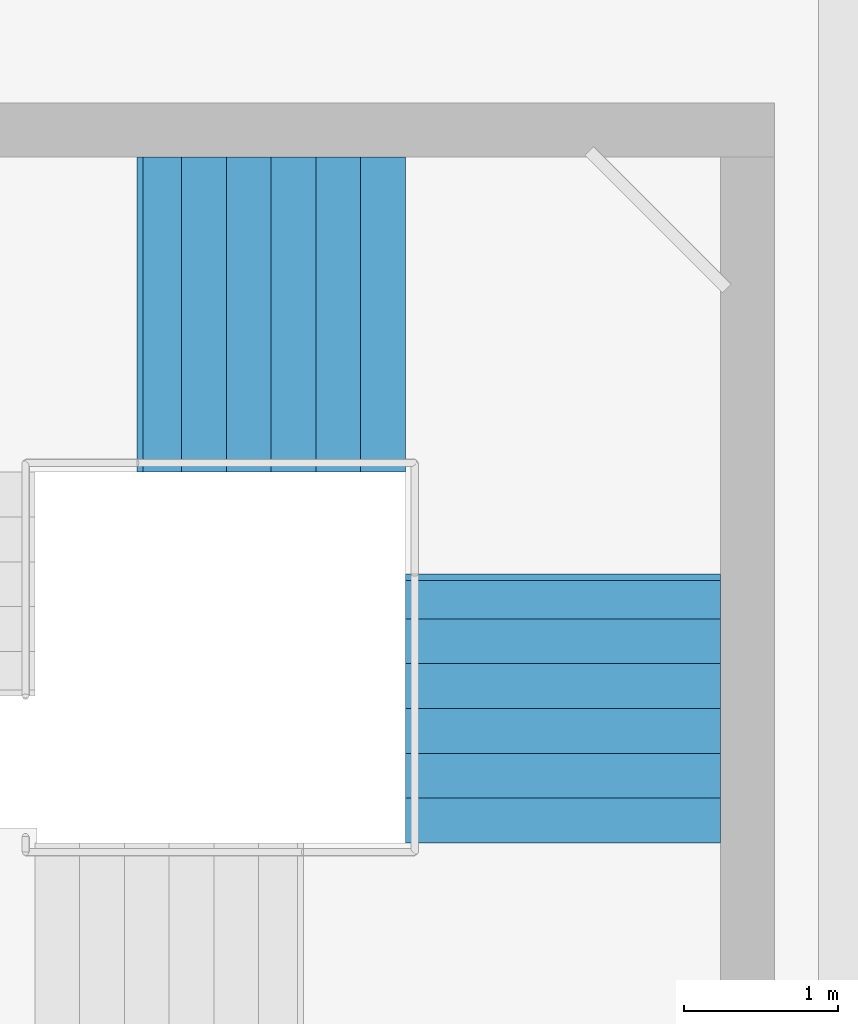
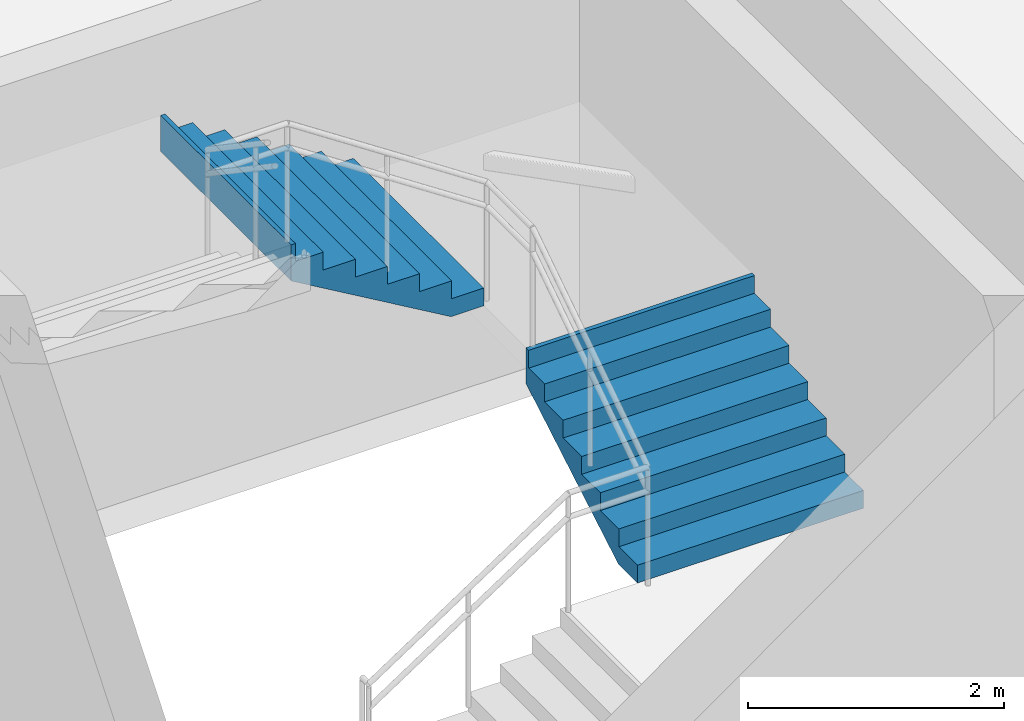
# One storey, part 51 of 58: 2 stair flights, 1 element without a shape of its own.
"""IFC4 building model written with IfcOpenShell, lengths in metres."""

from ifc_helpers import new_model, si_unit, direction, frame, origin, place, context, subcontext, project, spatial, triangles, material, type_object, element, aggregate, save


model = new_model("IFC4")

# Units and contexts
model_context = context("Model", 3, precision=1e-05, world=origin(), true_north=direction((0.0, 1.0)))
body_context = subcontext(model_context, "Body", "Model", "MODEL_VIEW")
ifc_project = project(units=[si_unit("LENGTHUNIT", "METRE"), si_unit("AREAUNIT", "SQUARE_METRE"), si_unit("VOLUMEUNIT", "CUBIC_METRE"), si_unit("PLANEANGLEUNIT", "RADIAN"), si_unit("MASSUNIT", "GRAM", prefix="KILO")], contexts=[model_context])

# Site, building, storey
site_placement = place(None, origin())
site = spatial("IfcSite", under=ifc_project, at=site_placement, CompositionType="ELEMENT")
building_placement = place(site_placement, origin())
building = spatial("IfcBuilding", under=site, at=building_placement, Name="Sillaruma Civic Art Gallery", CompositionType="ELEMENT")
storey_placement = place(building_placement, frame((0.0, 0.0, 28.56005859375)))
storey = spatial("IfcBuildingStorey", under=building, at=storey_placement, Name="L05", CompositionType="ELEMENT", Elevation=28.56005859375)

# Stair, stair flights
ifc_material = material(Name="Concrete H35 (35 MPa)", Category="concrete")
stair_type = type_object("IfcStairType", Name="STR-4F-27", PredefinedType="USERDEFINED", material=ifc_material)
stair_placement = place(storey_placement, origin())
stair = element("IfcStair", 1, at=stair_placement, inside=storey, type_object=stair_type, Name="Protected Exit Stair ST-04 (East Bar) (L05)", ObjectType="THREE_RETURN_STAIR", PredefinedType="USERDEFINED")
stair_flight_type = type_object("IfcStairFlightType", Name="SFL-STR-7", PredefinedType="STRAIGHT", material=ifc_material)
stair_flight_1_placement = place(storey_placement, frame((104.320068359375, 53.25, 1.18994140625), z_axis=(0.0, 0.0, 1.0), x_axis=(0.0, 1.0, 0.0)))
stair_flight_1 = element("IfcStairFlight", 2, at=stair_flight_1_placement, type_object=stair_flight_type, Name="ST-04 flight 2", NumberOfRisers=7, NumberOfTreads=6, PredefinedType="STRAIGHT", RiserHeight=0.17, TreadLength=0.29, context=body_context, shape_type="Tessellation", body=[
    triangles([(0.0, -1.02001953125, 0.0), (0.29, -1.02001953125, 0.0), (0.296404, -1.02001953125, 0.0), (0.58, -1.02001953125, 0.166246), (0.87, -1.02001953125, 0.336246), (1.16, -1.02001953125, 0.506246), (1.45, -1.02001953125, 0.676246), (1.69999, -1.02001953125, 0.822792), (1.73999, -1.02001953125, 0.84624), (1.73999, -1.02001953125, 1.19), (1.69999, -1.02001953125, 1.19), (1.69999, -1.02001953125, 1.02), (1.45, -1.02001953125, 1.02), (1.45, -1.02001953125, 0.85), (1.16, -1.02001953125, 0.85), (1.16, -1.02001953125, 0.68), (0.87, -1.02001953125, 0.68), (0.87, -1.02001953125, 0.51), (0.58, -1.02001953125, 0.51), (0.58, -1.02001953125, 0.34), (0.296404, -1.02001953125, 0.34), (0.29, -1.02001953125, 0.34), (0.29, -1.02001953125, 0.17), (0.0, -1.02001953125, 0.17), (0.0, -0.05, 0.0), (0.29, -0.05, 0.0), (0.296404, -0.05, 0.0), (0.58, -0.05, 0.166246), (0.87, -0.05, 0.336246), (1.16, -0.05, 0.506246), (1.45, -0.05, 0.676246), (1.69999, -0.05, 0.822792), (1.73999, -0.05, 0.84624), (1.73999, -0.05, 1.19), (1.69999, -0.05, 1.19), (1.69999, -0.05, 1.02), (1.45, -0.05, 1.02), (1.45, -0.05, 0.85), (1.16, -0.05, 0.85), (1.16, -0.05, 0.68), (0.87, -0.05, 0.68), (0.87, -0.05, 0.51), (0.58, -0.05, 0.51), (0.58, -0.05, 0.34), (0.296404, -0.05, 0.34), (0.29, -0.05, 0.34), (0.29, -0.05, 0.17), (0.0, -0.05, 0.17), (0.0, -0.0375, 0.0), (0.29, -0.0375, 0.0), (0.296404, -0.0375, 0.0), (0.58, -0.0375, 0.166246), (0.87, -0.0375, 0.336246), (1.16, -0.0375, 0.506246), (1.45, -0.0375, 0.676246), (1.69999, -0.0375, 0.822792), (1.73999, -0.0375, 0.84624), (1.73999, -0.0375, 1.19), (1.69999, -0.0375, 1.19), (1.69999, -0.0375, 1.02), (1.45, -0.0375, 1.02), (1.45, -0.0375, 0.85), (1.16, -0.0375, 0.85), (1.16, -0.0375, 0.68), (0.87, -0.0375, 0.68), (0.87, -0.0375, 0.51), (0.58, -0.0375, 0.51), (0.58, -0.0375, 0.34), (0.296404, -0.0375, 0.34), (0.29, -0.0375, 0.34), (0.29, -0.0375, 0.17), (0.0, -0.0375, 0.17), (0.0, -0.025, 0.0), (0.29, -0.025, 0.0), (0.296404, -0.025, 0.0), (0.58, -0.025, 0.166246), (0.87, -0.025, 0.336246), (1.16, -0.025, 0.506246), (1.45, -0.025, 0.676246), (1.69999, -0.025, 0.822792), (1.73999, -0.025, 0.84624), (1.73999, -0.025, 1.19), (1.69999, -0.025, 1.19), (1.69999, -0.025, 1.02), (1.45, -0.025, 1.02), (1.45, -0.025, 0.85), (1.16, -0.025, 0.85), (1.16, -0.025, 0.68), (0.87, -0.025, 0.68), (0.87, -0.025, 0.51), (0.58, -0.025, 0.51), (0.58, -0.025, 0.34), (0.296404, -0.025, 0.34), (0.29, -0.025, 0.34), (0.29, -0.025, 0.17), (0.0, -0.025, 0.17), (0.0, -0.0125, 0.0), (0.29, -0.0125, 0.0), (0.296404, -0.0125, 0.0), (0.58, -0.0125, 0.166246), (0.87, -0.0125, 0.336246), (1.16, -0.0125, 0.506246), (1.45, -0.0125, 0.676246), (1.69999, -0.0125, 0.822792), (1.73999, -0.0125, 0.84624), (1.73999, -0.0125, 1.19), (1.69999, -0.0125, 1.19), (1.69999, -0.0125, 1.02), (1.45, -0.0125, 1.02), (1.45, -0.0125, 0.85), (1.16, -0.0125, 0.85), (1.16, -0.0125, 0.68), (0.87, -0.0125, 0.68), (0.87, -0.0125, 0.51), (0.58, -0.0125, 0.51), (0.58, -0.0125, 0.34), (0.296404, -0.0125, 0.34), (0.29, -0.0125, 0.34), (0.29, -0.0125, 0.17), (0.0, -0.0125, 0.17), (0.0, 0.0, 0.0), (0.29, 0.0, 0.0), (0.296404, 0.0, 0.0), (0.58, 0.0, 0.166246), (0.87, 0.0, 0.336246), (1.16, 0.0, 0.506246), (1.45, 0.0, 0.676246), (1.69999, 0.0, 0.822792), (1.73999, 0.0, 0.84624), (1.73999, 0.0, 1.19), (1.69999, 0.0, 1.19), (1.69999, 0.0, 1.02), (1.45, 0.0, 1.02), (1.45, 0.0, 0.85), (1.16, 0.0, 0.85), (1.16, 0.0, 0.68), (0.87, 0.0, 0.68), (0.87, 0.0, 0.51), (0.58, 0.0, 0.51), (0.58, 0.0, 0.34), (0.296404, 0.0, 0.34), (0.29, 0.0, 0.34), (0.29, 0.0, 0.17), (0.0, 0.0, 0.17), (0.0, 0.0125, 0.0), (0.29, 0.0125, 0.0), (0.296404, 0.0125, 0.0), (0.58, 0.0125, 0.166246), (0.87, 0.0125, 0.336246), (1.16, 0.0125, 0.506246), (1.45, 0.0125, 0.676246), (1.69999, 0.0125, 0.822792), (1.73999, 0.0125, 0.84624), (1.73999, 0.0125, 1.19), (1.69999, 0.0125, 1.19), (1.69999, 0.0125, 1.02), (1.45, 0.0125, 1.02), (1.45, 0.0125, 0.85), (1.16, 0.0125, 0.85), (1.16, 0.0125, 0.68), (0.87, 0.0125, 0.68), (0.87, 0.0125, 0.51), (0.58, 0.0125, 0.51), (0.58, 0.0125, 0.34), (0.296404, 0.0125, 0.34), (0.29, 0.0125, 0.34), (0.29, 0.0125, 0.17), (0.0, 0.0125, 0.17), (0.0, 0.025, 0.0), (0.29, 0.025, 0.0), (0.296404, 0.025, 0.0), (0.58, 0.025, 0.166246), (0.87, 0.025, 0.336246), (1.16, 0.025, 0.506246), (1.45, 0.025, 0.676246), (1.69999, 0.025, 0.822792), (1.73999, 0.025, 0.84624), (1.73999, 0.025, 1.19), (1.69999, 0.025, 1.19), (1.69999, 0.025, 1.02), (1.45, 0.025, 1.02), (1.45, 0.025, 0.85), (1.16, 0.025, 0.85), (1.16, 0.025, 0.68), (0.87, 0.025, 0.68), (0.87, 0.025, 0.51), (0.58, 0.025, 0.51), (0.58, 0.025, 0.34), (0.296404, 0.025, 0.34), (0.29, 0.025, 0.34), (0.29, 0.025, 0.17), (0.0, 0.025, 0.17), (0.0, 0.0375, 0.0), (0.29, 0.0375, 0.0), (0.296404, 0.0375, 0.0), (0.58, 0.0375, 0.166246), (0.87, 0.0375, 0.336246), (1.16, 0.0375, 0.506246), (1.45, 0.0375, 0.676246), (1.69999, 0.0375, 0.822792), (1.73999, 0.0375, 0.84624), (1.73999, 0.0375, 1.19), (1.69999, 0.0375, 1.19), (1.69999, 0.0375, 1.02), (1.45, 0.0375, 1.02), (1.45, 0.0375, 0.85), (1.16, 0.0375, 0.85), (1.16, 0.0375, 0.68), (0.87, 0.0375, 0.68), (0.87, 0.0375, 0.51), (0.58, 0.0375, 0.51), (0.58, 0.0375, 0.34), (0.296404, 0.0375, 0.34), (0.29, 0.0375, 0.34), (0.29, 0.0375, 0.17), (0.0, 0.0375, 0.17), (0.0, 0.05, 0.0), (0.29, 0.05, 0.0), (0.296404, 0.05, 0.0), (0.58, 0.05, 0.166246), (0.87, 0.05, 0.336246), (1.16, 0.05, 0.506246), (1.45, 0.05, 0.676246), (1.69999, 0.05, 0.822792), (1.73999, 0.05, 0.84624), (1.73999, 0.05, 1.19), (1.69999, 0.05, 1.19), (1.69999, 0.05, 1.02), (1.45, 0.05, 1.02), (1.45, 0.05, 0.85), (1.16, 0.05, 0.85), (1.16, 0.05, 0.68), (0.87, 0.05, 0.68), (0.87, 0.05, 0.51), (0.58, 0.05, 0.51), (0.58, 0.05, 0.34), (0.296404, 0.05, 0.34), (0.29, 0.05, 0.34), (0.29, 0.05, 0.17), (0.0, 0.05, 0.17), (0.0, 1.02001953125, 0.0), (0.29, 1.02001953125, 0.0), (0.296404, 1.02001953125, 0.0), (0.58, 1.02001953125, 0.166246), (0.87, 1.02001953125, 0.336246), (1.16, 1.02001953125, 0.506246), (1.45, 1.02001953125, 0.676246), (1.69999, 1.02001953125, 0.822792), (1.73999, 1.02001953125, 0.84624), (1.73999, 1.02001953125, 1.19), (1.69999, 1.02001953125, 1.19), (1.69999, 1.02001953125, 1.02), (1.45, 1.02001953125, 1.02), (1.45, 1.02001953125, 0.85), (1.16, 1.02001953125, 0.85), (1.16, 1.02001953125, 0.68), (0.87, 1.02001953125, 0.68), (0.87, 1.02001953125, 0.51), (0.58, 1.02001953125, 0.51), (0.58, 1.02001953125, 0.34), (0.296404, 1.02001953125, 0.34), (0.29, 1.02001953125, 0.34), (0.29, 1.02001953125, 0.17), (0.0, 1.02001953125, 0.17)], [[1, 2, 23], [1, 23, 24], [2, 3, 21], [2, 21, 23], [23, 21, 22], [3, 4, 20], [3, 20, 21], [4, 5, 18], [4, 18, 20], [20, 18, 19], [5, 6, 16], [5, 16, 18], [18, 16, 17], [6, 7, 14], [6, 14, 16], [16, 14, 15], [7, 8, 12], [7, 12, 14], [14, 12, 13], [8, 9, 10], [8, 10, 12], [12, 10, 11], [263, 242, 241], [264, 263, 241], [261, 243, 242], [263, 261, 242], [262, 261, 263], [260, 244, 243], [261, 260, 243], [258, 245, 244], [260, 258, 244], [259, 258, 260], [256, 246, 245], [258, 256, 245], [257, 256, 258], [254, 247, 246], [256, 254, 246], [255, 254, 256], [252, 248, 247], [254, 252, 247], [253, 252, 254], [250, 249, 248], [252, 250, 248], [251, 250, 252], [2, 1, 25], [2, 25, 26], [3, 2, 26], [3, 26, 27], [4, 3, 27], [4, 27, 28], [5, 4, 28], [5, 28, 29], [6, 5, 29], [6, 29, 30], [7, 6, 30], [7, 30, 31], [8, 7, 31], [8, 31, 32], [9, 8, 32], [9, 32, 33], [10, 9, 33], [10, 33, 34], [11, 10, 34], [11, 34, 35], [12, 11, 35], [12, 35, 36], [13, 12, 36], [13, 36, 37], [14, 13, 37], [14, 37, 38], [15, 14, 38], [15, 38, 39], [16, 15, 39], [16, 39, 40], [17, 16, 40], [17, 40, 41], [18, 17, 41], [18, 41, 42], [19, 18, 42], [19, 42, 43], [20, 19, 43], [20, 43, 44], [21, 20, 44], [21, 44, 45], [22, 21, 45], [22, 45, 46], [23, 22, 46], [23, 46, 47], [24, 23, 47], [24, 47, 48], [1, 24, 48], [1, 48, 25], [26, 25, 49], [26, 49, 50], [27, 26, 50], [27, 50, 51], [28, 27, 51], [28, 51, 52], [29, 28, 52], [29, 52, 53], [30, 29, 53], [30, 53, 54], [31, 30, 54], [31, 54, 55], [32, 31, 55], [32, 55, 56], [33, 32, 56], [33, 56, 57], [34, 33, 57], [34, 57, 58], [35, 34, 58], [35, 58, 59], [36, 35, 59], [36, 59, 60], [37, 36, 60], [37, 60, 61], [38, 37, 61], [38, 61, 62], [39, 38, 62], [39, 62, 63], [40, 39, 63], [40, 63, 64], [41, 40, 64], [41, 64, 65], [42, 41, 65], [42, 65, 66], [43, 42, 66], [43, 66, 67], [44, 43, 67], [44, 67, 68], [45, 44, 68], [45, 68, 69], [46, 45, 69], [46, 69, 70], [47, 46, 70], [47, 70, 71], [48, 47, 71], [48, 71, 72], [25, 48, 72], [25, 72, 49], [50, 49, 73], [50, 73, 74], [51, 50, 74], [51, 74, 75], [52, 51, 75], [52, 75, 76], [53, 52, 76], [53, 76, 77], [54, 53, 77], [54, 77, 78], [55, 54, 78], [55, 78, 79], [56, 55, 79], [56, 79, 80], [57, 56, 80], [57, 80, 81], [58, 57, 81], [58, 81, 82], [59, 58, 82], [59, 82, 83], [60, 59, 83], [60, 83, 84], [61, 60, 84], [61, 84, 85], [62, 61, 85], [62, 85, 86], [63, 62, 86], [63, 86, 87], [64, 63, 87], [64, 87, 88], [65, 64, 88], [65, 88, 89], [66, 65, 89], [66, 89, 90], [67, 66, 90], [67, 90, 91], [68, 67, 91], [68, 91, 92], [69, 68, 92], [69, 92, 93], [70, 69, 93], [70, 93, 94], [71, 70, 94], [71, 94, 95], [72, 71, 95], [72, 95, 96], [49, 72, 96], [49, 96, 73], [74, 73, 97], [74, 97, 98], [75, 74, 98], [75, 98, 99], [76, 75, 99], [76, 99, 100], [77, 76, 100], [77, 100, 101], [78, 77, 101], [78, 101, 102], [79, 78, 102], [79, 102, 103], [80, 79, 103], [80, 103, 104], [81, 80, 104], [81, 104, 105], [82, 81, 105], [82, 105, 106], [83, 82, 106], [83, 106, 107], [84, 83, 107], [84, 107, 108], [85, 84, 108], [85, 108, 109], [86, 85, 109], [86, 109, 110], [87, 86, 110], [87, 110, 111], [88, 87, 111], [88, 111, 112], [89, 88, 112], [89, 112, 113], [90, 89, 113], [90, 113, 114], [91, 90, 114], [91, 114, 115], [92, 91, 115], [92, 115, 116], [93, 92, 116], [93, 116, 117], [94, 93, 117], [94, 117, 118], [95, 94, 118], [95, 118, 119], [96, 95, 119], [96, 119, 120], [73, 96, 120], [73, 120, 97], [98, 97, 121], [98, 121, 122], [99, 98, 122], [99, 122, 123], [100, 99, 123], [100, 123, 124], [101, 100, 124], [101, 124, 125], [102, 101, 125], [102, 125, 126], [103, 102, 126], [103, 126, 127], [104, 103, 127], [104, 127, 128], [105, 104, 128], [105, 128, 129], [106, 105, 129], [106, 129, 130], [107, 106, 130], [107, 130, 131], [108, 107, 131], [108, 131, 132], [109, 108, 132], [109, 132, 133], [110, 109, 133], [110, 133, 134], [111, 110, 134], [111, 134, 135], [112, 111, 135], [112, 135, 136], [113, 112, 136], [113, 136, 137], [114, 113, 137], [114, 137, 138], [115, 114, 138], [115, 138, 139], [116, 115, 139], [116, 139, 140], [117, 116, 140], [117, 140, 141], [118, 117, 141], [118, 141, 142], [119, 118, 142], [119, 142, 143], [120, 119, 143], [120, 143, 144], [97, 120, 144], [97, 144, 121], [122, 121, 145], [122, 145, 146], [123, 122, 146], [123, 146, 147], [124, 123, 147], [124, 147, 148], [125, 124, 148], [125, 148, 149], [126, 125, 149], [126, 149, 150], [127, 126, 150], [127, 150, 151], [128, 127, 151], [128, 151, 152], [129, 128, 152], [129, 152, 153], [130, 129, 153], [130, 153, 154], [131, 130, 154], [131, 154, 155], [132, 131, 155], [132, 155, 156], [133, 132, 156], [133, 156, 157], [134, 133, 157], [134, 157, 158], [135, 134, 158], [135, 158, 159], [136, 135, 159], [136, 159, 160], [137, 136, 160], [137, 160, 161], [138, 137, 161], [138, 161, 162], [139, 138, 162], [139, 162, 163], [140, 139, 163], [140, 163, 164], [141, 140, 164], [141, 164, 165], [142, 141, 165], [142, 165, 166], [143, 142, 166], [143, 166, 167], [144, 143, 167], [144, 167, 168], [121, 144, 168], [121, 168, 145], [146, 145, 169], [146, 169, 170], [147, 146, 170], [147, 170, 171], [148, 147, 171], [148, 171, 172], [149, 148, 172], [149, 172, 173], [150, 149, 173], [150, 173, 174], [151, 150, 174], [151, 174, 175], [152, 151, 175], [152, 175, 176], [153, 152, 176], [153, 176, 177], [154, 153, 177], [154, 177, 178], [155, 154, 178], [155, 178, 179], [156, 155, 179], [156, 179, 180], [157, 156, 180], [157, 180, 181], [158, 157, 181], [158, 181, 182], [159, 158, 182], [159, 182, 183], [160, 159, 183], [160, 183, 184], [161, 160, 184], [161, 184, 185], [162, 161, 185], [162, 185, 186], [163, 162, 186], [163, 186, 187], [164, 163, 187], [164, 187, 188], [165, 164, 188], [165, 188, 189], [166, 165, 189], [166, 189, 190], [167, 166, 190], [167, 190, 191], [168, 167, 191], [168, 191, 192], [145, 168, 192], [145, 192, 169], [170, 169, 193], [170, 193, 194], [171, 170, 194], [171, 194, 195], [172, 171, 195], [172, 195, 196], [173, 172, 196], [173, 196, 197], [174, 173, 197], [174, 197, 198], [175, 174, 198], [175, 198, 199], [176, 175, 199], [176, 199, 200], [177, 176, 200], [177, 200, 201], [178, 177, 201], [178, 201, 202], [179, 178, 202], [179, 202, 203], [180, 179, 203], [180, 203, 204], [181, 180, 204], [181, 204, 205], [182, 181, 205], [182, 205, 206], [183, 182, 206], [183, 206, 207], [184, 183, 207], [184, 207, 208], [185, 184, 208], [185, 208, 209], [186, 185, 209], [186, 209, 210], [187, 186, 210], [187, 210, 211], [188, 187, 211], [188, 211, 212], [189, 188, 212], [189, 212, 213], [190, 189, 213], [190, 213, 214], [191, 190, 214], [191, 214, 215], [192, 191, 215], [192, 215, 216], [169, 192, 216], [169, 216, 193], [194, 193, 217], [194, 217, 218], [195, 194, 218], [195, 218, 219], [196, 195, 219], [196, 219, 220], [197, 196, 220], [197, 220, 221], [198, 197, 221], [198, 221, 222], [199, 198, 222], [199, 222, 223], [200, 199, 223], [200, 223, 224], [201, 200, 224], [201, 224, 225], [202, 201, 225], [202, 225, 226], [203, 202, 226], [203, 226, 227], [204, 203, 227], [204, 227, 228], [205, 204, 228], [205, 228, 229], [206, 205, 229], [206, 229, 230], [207, 206, 230], [207, 230, 231], [208, 207, 231], [208, 231, 232], [209, 208, 232], [209, 232, 233], [210, 209, 233], [210, 233, 234], [211, 210, 234], [211, 234, 235], [212, 211, 235], [212, 235, 236], [213, 212, 236], [213, 236, 237], [214, 213, 237], [214, 237, 238], [215, 214, 238], [215, 238, 239], [216, 215, 239], [216, 239, 240], [193, 216, 240], [193, 240, 217], [218, 217, 241], [218, 241, 242], [219, 218, 242], [219, 242, 243], [220, 219, 243], [220, 243, 244], [221, 220, 244], [221, 244, 245], [222, 221, 245], [222, 245, 246], [223, 222, 246], [223, 246, 247], [224, 223, 247], [224, 247, 248], [225, 224, 248], [225, 248, 249], [226, 225, 249], [226, 249, 250], [227, 226, 250], [227, 250, 251], [228, 227, 251], [228, 251, 252], [229, 228, 252], [229, 252, 253], [230, 229, 253], [230, 253, 254], [231, 230, 254], [231, 254, 255], [232, 231, 255], [232, 255, 256], [233, 232, 256], [233, 256, 257], [234, 233, 257], [234, 257, 258], [235, 234, 258], [235, 258, 259], [236, 235, 259], [236, 259, 260], [237, 236, 260], [237, 260, 261], [238, 237, 261], [238, 261, 262], [239, 238, 262], [239, 262, 263], [240, 239, 263], [240, 263, 264], [217, 240, 264], [217, 264, 241]], closed=True),
])
stair_flight_2_placement = place(storey_placement, frame((103.300048828125, 56.669921875, 2.3798828125), z_axis=(0.0, 0.0, 1.0), x_axis=(-1.0, 0.0, 0.0)))
stair_flight_2 = element("IfcStairFlight", 3, at=stair_flight_2_placement, type_object=stair_flight_type, Name="ST-04 flight 3", NumberOfRisers=7, NumberOfTreads=6, PredefinedType="STRAIGHT", RiserHeight=0.17, TreadLength=0.29, context=body_context, shape_type="Tessellation", body=[
    triangles([(0.0, -1.02001953125, 0.0), (0.29, -1.02001953125, 0.0), (0.296404, -1.02001953125, 0.0), (0.58, -1.02001953125, 0.166246), (0.87, -1.02001953125, 0.336246), (1.16, -1.02001953125, 0.506246), (1.45, -1.02001953125, 0.676246), (1.69999, -1.02001953125, 0.822792), (1.73999, -1.02001953125, 0.84624), (1.73999, -1.02001953125, 1.19), (1.69999, -1.02001953125, 1.19), (1.69999, -1.02001953125, 1.02), (1.45, -1.02001953125, 1.02), (1.45, -1.02001953125, 0.85), (1.16, -1.02001953125, 0.85), (1.16, -1.02001953125, 0.68), (0.87, -1.02001953125, 0.68), (0.87, -1.02001953125, 0.51), (0.58, -1.02001953125, 0.51), (0.58, -1.02001953125, 0.34), (0.296404, -1.02001953125, 0.34), (0.29, -1.02001953125, 0.34), (0.29, -1.02001953125, 0.17), (0.0, -1.02001953125, 0.17), (0.0, -0.05, 0.0), (0.29, -0.05, 0.0), (0.296404, -0.05, 0.0), (0.58, -0.05, 0.166246), (0.87, -0.05, 0.336246), (1.16, -0.05, 0.506246), (1.45, -0.05, 0.676246), (1.69999, -0.05, 0.822792), (1.73999, -0.05, 0.84624), (1.73999, -0.05, 1.19), (1.69999, -0.05, 1.19), (1.69999, -0.05, 1.02), (1.45, -0.05, 1.02), (1.45, -0.05, 0.85), (1.16, -0.05, 0.85), (1.16, -0.05, 0.68), (0.87, -0.05, 0.68), (0.87, -0.05, 0.51), (0.58, -0.05, 0.51), (0.58, -0.05, 0.34), (0.296404, -0.05, 0.34), (0.29, -0.05, 0.34), (0.29, -0.05, 0.17), (0.0, -0.05, 0.17), (0.0, -0.0375, 0.0), (0.29, -0.0375, 0.0), (0.296404, -0.0375, 0.0), (0.58, -0.0375, 0.166246), (0.87, -0.0375, 0.336246), (1.16, -0.0375, 0.506246), (1.45, -0.0375, 0.676246), (1.69999, -0.0375, 0.822792), (1.73999, -0.0375, 0.84624), (1.73999, -0.0375, 1.19), (1.69999, -0.0375, 1.19), (1.69999, -0.0375, 1.02), (1.45, -0.0375, 1.02), (1.45, -0.0375, 0.85), (1.16, -0.0375, 0.85), (1.16, -0.0375, 0.68), (0.87, -0.0375, 0.68), (0.87, -0.0375, 0.51), (0.58, -0.0375, 0.51), (0.58, -0.0375, 0.34), (0.296404, -0.0375, 0.34), (0.29, -0.0375, 0.34), (0.29, -0.0375, 0.17), (0.0, -0.0375, 0.17), (0.0, -0.025, 0.0), (0.29, -0.025, 0.0), (0.296404, -0.025, 0.0), (0.58, -0.025, 0.166246), (0.87, -0.025, 0.336246), (1.16, -0.025, 0.506246), (1.45, -0.025, 0.676246), (1.69999, -0.025, 0.822792), (1.73999, -0.025, 0.84624), (1.73999, -0.025, 1.19), (1.69999, -0.025, 1.19), (1.69999, -0.025, 1.02), (1.45, -0.025, 1.02), (1.45, -0.025, 0.85), (1.16, -0.025, 0.85), (1.16, -0.025, 0.68), (0.87, -0.025, 0.68), (0.87, -0.025, 0.51), (0.58, -0.025, 0.51), (0.58, -0.025, 0.34), (0.296404, -0.025, 0.34), (0.29, -0.025, 0.34), (0.29, -0.025, 0.17), (0.0, -0.025, 0.17), (0.0, -0.0125, 0.0), (0.29, -0.0125, 0.0), (0.296404, -0.0125, 0.0), (0.58, -0.0125, 0.166246), (0.87, -0.0125, 0.336246), (1.16, -0.0125, 0.506246), (1.45, -0.0125, 0.676246), (1.69999, -0.0125, 0.822792), (1.73999, -0.0125, 0.84624), (1.73999, -0.0125, 1.19), (1.69999, -0.0125, 1.19), (1.69999, -0.0125, 1.02), (1.45, -0.0125, 1.02), (1.45, -0.0125, 0.85), (1.16, -0.0125, 0.85), (1.16, -0.0125, 0.68), (0.87, -0.0125, 0.68), (0.87, -0.0125, 0.51), (0.58, -0.0125, 0.51), (0.58, -0.0125, 0.34), (0.296404, -0.0125, 0.34), (0.29, -0.0125, 0.34), (0.29, -0.0125, 0.17), (0.0, -0.0125, 0.17), (0.0, 0.0, 0.0), (0.29, 0.0, 0.0), (0.296404, 0.0, 0.0), (0.58, 0.0, 0.166246), (0.87, 0.0, 0.336246), (1.16, 0.0, 0.506246), (1.45, 0.0, 0.676246), (1.69999, 0.0, 0.822792), (1.73999, 0.0, 0.84624), (1.73999, 0.0, 1.19), (1.69999, 0.0, 1.19), (1.69999, 0.0, 1.02), (1.45, 0.0, 1.02), (1.45, 0.0, 0.85), (1.16, 0.0, 0.85), (1.16, 0.0, 0.68), (0.87, 0.0, 0.68), (0.87, 0.0, 0.51), (0.58, 0.0, 0.51), (0.58, 0.0, 0.34), (0.296404, 0.0, 0.34), (0.29, 0.0, 0.34), (0.29, 0.0, 0.17), (0.0, 0.0, 0.17), (0.0, 0.0125, 0.0), (0.29, 0.0125, 0.0), (0.296404, 0.0125, 0.0), (0.58, 0.0125, 0.166246), (0.87, 0.0125, 0.336246), (1.16, 0.0125, 0.506246), (1.45, 0.0125, 0.676246), (1.69999, 0.0125, 0.822792), (1.73999, 0.0125, 0.84624), (1.73999, 0.0125, 1.19), (1.69999, 0.0125, 1.19), (1.69999, 0.0125, 1.02), (1.45, 0.0125, 1.02), (1.45, 0.0125, 0.85), (1.16, 0.0125, 0.85), (1.16, 0.0125, 0.68), (0.87, 0.0125, 0.68), (0.87, 0.0125, 0.51), (0.58, 0.0125, 0.51), (0.58, 0.0125, 0.34), (0.296404, 0.0125, 0.34), (0.29, 0.0125, 0.34), (0.29, 0.0125, 0.17), (0.0, 0.0125, 0.17), (0.0, 0.025, 0.0), (0.29, 0.025, 0.0), (0.296404, 0.025, 0.0), (0.58, 0.025, 0.166246), (0.87, 0.025, 0.336246), (1.16, 0.025, 0.506246), (1.45, 0.025, 0.676246), (1.69999, 0.025, 0.822792), (1.73999, 0.025, 0.84624), (1.73999, 0.025, 1.19), (1.69999, 0.025, 1.19), (1.69999, 0.025, 1.02), (1.45, 0.025, 1.02), (1.45, 0.025, 0.85), (1.16, 0.025, 0.85), (1.16, 0.025, 0.68), (0.87, 0.025, 0.68), (0.87, 0.025, 0.51), (0.58, 0.025, 0.51), (0.58, 0.025, 0.34), (0.296404, 0.025, 0.34), (0.29, 0.025, 0.34), (0.29, 0.025, 0.17), (0.0, 0.025, 0.17), (0.0, 0.0375, 0.0), (0.29, 0.0375, 0.0), (0.296404, 0.0375, 0.0), (0.58, 0.0375, 0.166246), (0.87, 0.0375, 0.336246), (1.16, 0.0375, 0.506246), (1.45, 0.0375, 0.676246), (1.69999, 0.0375, 0.822792), (1.73999, 0.0375, 0.84624), (1.73999, 0.0375, 1.19), (1.69999, 0.0375, 1.19), (1.69999, 0.0375, 1.02), (1.45, 0.0375, 1.02), (1.45, 0.0375, 0.85), (1.16, 0.0375, 0.85), (1.16, 0.0375, 0.68), (0.87, 0.0375, 0.68), (0.87, 0.0375, 0.51), (0.58, 0.0375, 0.51), (0.58, 0.0375, 0.34), (0.296404, 0.0375, 0.34), (0.29, 0.0375, 0.34), (0.29, 0.0375, 0.17), (0.0, 0.0375, 0.17), (0.0, 0.05, 0.0), (0.29, 0.05, 0.0), (0.296404, 0.05, 0.0), (0.58, 0.05, 0.166246), (0.87, 0.05, 0.336246), (1.16, 0.05, 0.506246), (1.45, 0.05, 0.676246), (1.69999, 0.05, 0.822792), (1.73999, 0.05, 0.84624), (1.73999, 0.05, 1.19), (1.69999, 0.05, 1.19), (1.69999, 0.05, 1.02), (1.45, 0.05, 1.02), (1.45, 0.05, 0.85), (1.16, 0.05, 0.85), (1.16, 0.05, 0.68), (0.87, 0.05, 0.68), (0.87, 0.05, 0.51), (0.58, 0.05, 0.51), (0.58, 0.05, 0.34), (0.296404, 0.05, 0.34), (0.29, 0.05, 0.34), (0.29, 0.05, 0.17), (0.0, 0.05, 0.17), (0.0, 1.02001953125, 0.0), (0.29, 1.02001953125, 0.0), (0.296404, 1.02001953125, 0.0), (0.58, 1.02001953125, 0.166246), (0.87, 1.02001953125, 0.336246), (1.16, 1.02001953125, 0.506246), (1.45, 1.02001953125, 0.676246), (1.69999, 1.02001953125, 0.822792), (1.73999, 1.02001953125, 0.84624), (1.73999, 1.02001953125, 1.19), (1.69999, 1.02001953125, 1.19), (1.69999, 1.02001953125, 1.02), (1.45, 1.02001953125, 1.02), (1.45, 1.02001953125, 0.85), (1.16, 1.02001953125, 0.85), (1.16, 1.02001953125, 0.68), (0.87, 1.02001953125, 0.68), (0.87, 1.02001953125, 0.51), (0.58, 1.02001953125, 0.51), (0.58, 1.02001953125, 0.34), (0.296404, 1.02001953125, 0.34), (0.29, 1.02001953125, 0.34), (0.29, 1.02001953125, 0.17), (0.0, 1.02001953125, 0.17)], [[1, 2, 23], [1, 23, 24], [2, 3, 21], [2, 21, 23], [23, 21, 22], [3, 4, 20], [3, 20, 21], [4, 5, 18], [4, 18, 20], [20, 18, 19], [5, 6, 16], [5, 16, 18], [18, 16, 17], [6, 7, 14], [6, 14, 16], [16, 14, 15], [7, 8, 12], [7, 12, 14], [14, 12, 13], [8, 9, 10], [8, 10, 12], [12, 10, 11], [263, 242, 241], [264, 263, 241], [261, 243, 242], [263, 261, 242], [262, 261, 263], [260, 244, 243], [261, 260, 243], [258, 245, 244], [260, 258, 244], [259, 258, 260], [256, 246, 245], [258, 256, 245], [257, 256, 258], [254, 247, 246], [256, 254, 246], [255, 254, 256], [252, 248, 247], [254, 252, 247], [253, 252, 254], [250, 249, 248], [252, 250, 248], [251, 250, 252], [2, 1, 25], [2, 25, 26], [3, 2, 26], [3, 26, 27], [4, 3, 27], [4, 27, 28], [5, 4, 28], [5, 28, 29], [6, 5, 29], [6, 29, 30], [7, 6, 30], [7, 30, 31], [8, 7, 31], [8, 31, 32], [9, 8, 32], [9, 32, 33], [10, 9, 33], [10, 33, 34], [11, 10, 34], [11, 34, 35], [12, 11, 35], [12, 35, 36], [13, 12, 36], [13, 36, 37], [14, 13, 37], [14, 37, 38], [15, 14, 38], [15, 38, 39], [16, 15, 39], [16, 39, 40], [17, 16, 40], [17, 40, 41], [18, 17, 41], [18, 41, 42], [19, 18, 42], [19, 42, 43], [20, 19, 43], [20, 43, 44], [21, 20, 44], [21, 44, 45], [22, 21, 45], [22, 45, 46], [23, 22, 46], [23, 46, 47], [24, 23, 47], [24, 47, 48], [1, 24, 48], [1, 48, 25], [26, 25, 49], [26, 49, 50], [27, 26, 50], [27, 50, 51], [28, 27, 51], [28, 51, 52], [29, 28, 52], [29, 52, 53], [30, 29, 53], [30, 53, 54], [31, 30, 54], [31, 54, 55], [32, 31, 55], [32, 55, 56], [33, 32, 56], [33, 56, 57], [34, 33, 57], [34, 57, 58], [35, 34, 58], [35, 58, 59], [36, 35, 59], [36, 59, 60], [37, 36, 60], [37, 60, 61], [38, 37, 61], [38, 61, 62], [39, 38, 62], [39, 62, 63], [40, 39, 63], [40, 63, 64], [41, 40, 64], [41, 64, 65], [42, 41, 65], [42, 65, 66], [43, 42, 66], [43, 66, 67], [44, 43, 67], [44, 67, 68], [45, 44, 68], [45, 68, 69], [46, 45, 69], [46, 69, 70], [47, 46, 70], [47, 70, 71], [48, 47, 71], [48, 71, 72], [25, 48, 72], [25, 72, 49], [50, 49, 73], [50, 73, 74], [51, 50, 74], [51, 74, 75], [52, 51, 75], [52, 75, 76], [53, 52, 76], [53, 76, 77], [54, 53, 77], [54, 77, 78], [55, 54, 78], [55, 78, 79], [56, 55, 79], [56, 79, 80], [57, 56, 80], [57, 80, 81], [58, 57, 81], [58, 81, 82], [59, 58, 82], [59, 82, 83], [60, 59, 83], [60, 83, 84], [61, 60, 84], [61, 84, 85], [62, 61, 85], [62, 85, 86], [63, 62, 86], [63, 86, 87], [64, 63, 87], [64, 87, 88], [65, 64, 88], [65, 88, 89], [66, 65, 89], [66, 89, 90], [67, 66, 90], [67, 90, 91], [68, 67, 91], [68, 91, 92], [69, 68, 92], [69, 92, 93], [70, 69, 93], [70, 93, 94], [71, 70, 94], [71, 94, 95], [72, 71, 95], [72, 95, 96], [49, 72, 96], [49, 96, 73], [74, 73, 97], [74, 97, 98], [75, 74, 98], [75, 98, 99], [76, 75, 99], [76, 99, 100], [77, 76, 100], [77, 100, 101], [78, 77, 101], [78, 101, 102], [79, 78, 102], [79, 102, 103], [80, 79, 103], [80, 103, 104], [81, 80, 104], [81, 104, 105], [82, 81, 105], [82, 105, 106], [83, 82, 106], [83, 106, 107], [84, 83, 107], [84, 107, 108], [85, 84, 108], [85, 108, 109], [86, 85, 109], [86, 109, 110], [87, 86, 110], [87, 110, 111], [88, 87, 111], [88, 111, 112], [89, 88, 112], [89, 112, 113], [90, 89, 113], [90, 113, 114], [91, 90, 114], [91, 114, 115], [92, 91, 115], [92, 115, 116], [93, 92, 116], [93, 116, 117], [94, 93, 117], [94, 117, 118], [95, 94, 118], [95, 118, 119], [96, 95, 119], [96, 119, 120], [73, 96, 120], [73, 120, 97], [98, 97, 121], [98, 121, 122], [99, 98, 122], [99, 122, 123], [100, 99, 123], [100, 123, 124], [101, 100, 124], [101, 124, 125], [102, 101, 125], [102, 125, 126], [103, 102, 126], [103, 126, 127], [104, 103, 127], [104, 127, 128], [105, 104, 128], [105, 128, 129], [106, 105, 129], [106, 129, 130], [107, 106, 130], [107, 130, 131], [108, 107, 131], [108, 131, 132], [109, 108, 132], [109, 132, 133], [110, 109, 133], [110, 133, 134], [111, 110, 134], [111, 134, 135], [112, 111, 135], [112, 135, 136], [113, 112, 136], [113, 136, 137], [114, 113, 137], [114, 137, 138], [115, 114, 138], [115, 138, 139], [116, 115, 139], [116, 139, 140], [117, 116, 140], [117, 140, 141], [118, 117, 141], [118, 141, 142], [119, 118, 142], [119, 142, 143], [120, 119, 143], [120, 143, 144], [97, 120, 144], [97, 144, 121], [122, 121, 145], [122, 145, 146], [123, 122, 146], [123, 146, 147], [124, 123, 147], [124, 147, 148], [125, 124, 148], [125, 148, 149], [126, 125, 149], [126, 149, 150], [127, 126, 150], [127, 150, 151], [128, 127, 151], [128, 151, 152], [129, 128, 152], [129, 152, 153], [130, 129, 153], [130, 153, 154], [131, 130, 154], [131, 154, 155], [132, 131, 155], [132, 155, 156], [133, 132, 156], [133, 156, 157], [134, 133, 157], [134, 157, 158], [135, 134, 158], [135, 158, 159], [136, 135, 159], [136, 159, 160], [137, 136, 160], [137, 160, 161], [138, 137, 161], [138, 161, 162], [139, 138, 162], [139, 162, 163], [140, 139, 163], [140, 163, 164], [141, 140, 164], [141, 164, 165], [142, 141, 165], [142, 165, 166], [143, 142, 166], [143, 166, 167], [144, 143, 167], [144, 167, 168], [121, 144, 168], [121, 168, 145], [146, 145, 169], [146, 169, 170], [147, 146, 170], [147, 170, 171], [148, 147, 171], [148, 171, 172], [149, 148, 172], [149, 172, 173], [150, 149, 173], [150, 173, 174], [151, 150, 174], [151, 174, 175], [152, 151, 175], [152, 175, 176], [153, 152, 176], [153, 176, 177], [154, 153, 177], [154, 177, 178], [155, 154, 178], [155, 178, 179], [156, 155, 179], [156, 179, 180], [157, 156, 180], [157, 180, 181], [158, 157, 181], [158, 181, 182], [159, 158, 182], [159, 182, 183], [160, 159, 183], [160, 183, 184], [161, 160, 184], [161, 184, 185], [162, 161, 185], [162, 185, 186], [163, 162, 186], [163, 186, 187], [164, 163, 187], [164, 187, 188], [165, 164, 188], [165, 188, 189], [166, 165, 189], [166, 189, 190], [167, 166, 190], [167, 190, 191], [168, 167, 191], [168, 191, 192], [145, 168, 192], [145, 192, 169], [170, 169, 193], [170, 193, 194], [171, 170, 194], [171, 194, 195], [172, 171, 195], [172, 195, 196], [173, 172, 196], [173, 196, 197], [174, 173, 197], [174, 197, 198], [175, 174, 198], [175, 198, 199], [176, 175, 199], [176, 199, 200], [177, 176, 200], [177, 200, 201], [178, 177, 201], [178, 201, 202], [179, 178, 202], [179, 202, 203], [180, 179, 203], [180, 203, 204], [181, 180, 204], [181, 204, 205], [182, 181, 205], [182, 205, 206], [183, 182, 206], [183, 206, 207], [184, 183, 207], [184, 207, 208], [185, 184, 208], [185, 208, 209], [186, 185, 209], [186, 209, 210], [187, 186, 210], [187, 210, 211], [188, 187, 211], [188, 211, 212], [189, 188, 212], [189, 212, 213], [190, 189, 213], [190, 213, 214], [191, 190, 214], [191, 214, 215], [192, 191, 215], [192, 215, 216], [169, 192, 216], [169, 216, 193], [194, 193, 217], [194, 217, 218], [195, 194, 218], [195, 218, 219], [196, 195, 219], [196, 219, 220], [197, 196, 220], [197, 220, 221], [198, 197, 221], [198, 221, 222], [199, 198, 222], [199, 222, 223], [200, 199, 223], [200, 223, 224], [201, 200, 224], [201, 224, 225], [202, 201, 225], [202, 225, 226], [203, 202, 226], [203, 226, 227], [204, 203, 227], [204, 227, 228], [205, 204, 228], [205, 228, 229], [206, 205, 229], [206, 229, 230], [207, 206, 230], [207, 230, 231], [208, 207, 231], [208, 231, 232], [209, 208, 232], [209, 232, 233], [210, 209, 233], [210, 233, 234], [211, 210, 234], [211, 234, 235], [212, 211, 235], [212, 235, 236], [213, 212, 236], [213, 236, 237], [214, 213, 237], [214, 237, 238], [215, 214, 238], [215, 238, 239], [216, 215, 239], [216, 239, 240], [193, 216, 240], [193, 240, 217], [218, 217, 241], [218, 241, 242], [219, 218, 242], [219, 242, 243], [220, 219, 243], [220, 243, 244], [221, 220, 244], [221, 244, 245], [222, 221, 245], [222, 245, 246], [223, 222, 246], [223, 246, 247], [224, 223, 247], [224, 247, 248], [225, 224, 248], [225, 248, 249], [226, 225, 249], [226, 249, 250], [227, 226, 250], [227, 250, 251], [228, 227, 251], [228, 251, 252], [229, 228, 252], [229, 252, 253], [230, 229, 253], [230, 253, 254], [231, 230, 254], [231, 254, 255], [232, 231, 255], [232, 255, 256], [233, 232, 256], [233, 256, 257], [234, 233, 257], [234, 257, 258], [235, 234, 258], [235, 258, 259], [236, 235, 259], [236, 259, 260], [237, 236, 260], [237, 260, 261], [238, 237, 261], [238, 261, 262], [239, 238, 262], [239, 262, 263], [240, 239, 263], [240, 263, 264], [217, 240, 264], [217, 264, 241]], closed=True),
])
aggregate(stair, [stair_flight_1, stair_flight_2])

save(model, "model.ifc")
